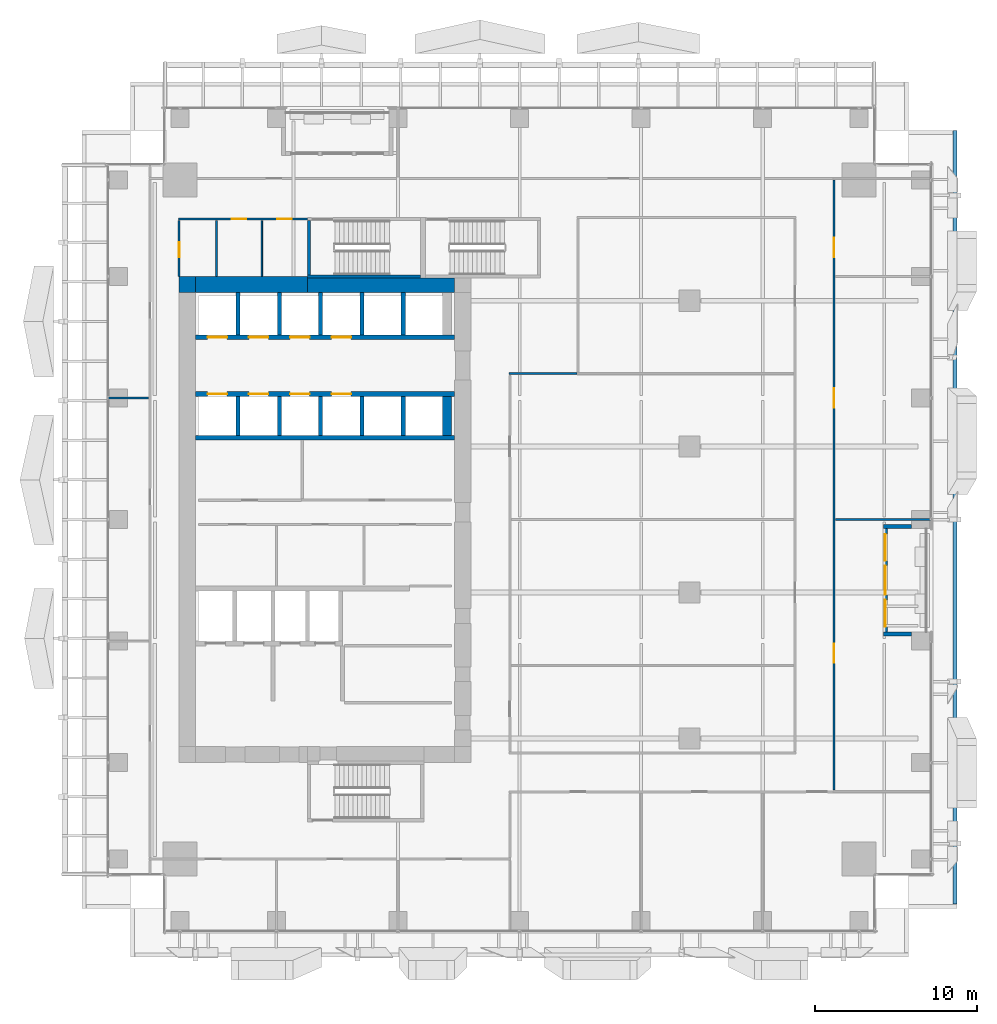
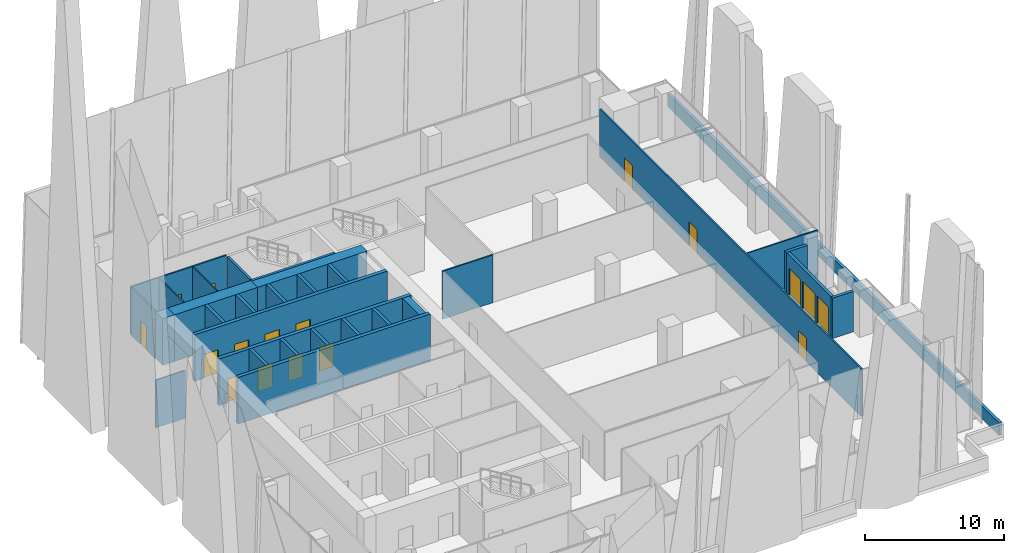
# One storey, part 30 of 37: 31 walls, 15 doors, 2 windows, 17 openings.
"""IFC4 building model written with IfcOpenShell, lengths in metres."""

from ifc_helpers import new_model, si_unit, direction, frame, frame_2d, origin, place, context, subcontext, project, spatial, rectangle, extrude, source, transform, mapped, material, layer, layer_set, type_object, element, fill, save


model = new_model("IFC4")

# Units and contexts
model_context = context("Model", 3, precision=1e-05, world=origin(), true_north=direction((0.0, 1.0)))
body_context = subcontext(model_context, "Body", "Model", "MODEL_VIEW")
ifc_project = project(units=[si_unit("LENGTHUNIT", "METRE"), si_unit("AREAUNIT", "SQUARE_METRE"), si_unit("VOLUMEUNIT", "CUBIC_METRE"), si_unit("PLANEANGLEUNIT", "RADIAN"), si_unit("MASSUNIT", "GRAM", prefix="KILO")], contexts=[model_context])

# Site, building, storey
site_placement = place(None, origin())
site = spatial("IfcSite", under=ifc_project, at=site_placement, CompositionType="ELEMENT")
building_placement = place(site_placement, origin())
building = spatial("IfcBuilding", under=site, at=building_placement, Name="Khomas Fold Tower", CompositionType="ELEMENT")
storey_placement = place(building_placement, frame((0.0, 0.0, 101.5)))
storey = spatial("IfcBuildingStorey", under=building, at=storey_placement, Name="L21", CompositionType="ELEMENT", Elevation=101.5)

# Walls
ifc_material_1 = material(Name="Concrete C70/85", Category="concrete")
ifc_layer_1 = layer(ifc_material_1, 1.0)
ifc_layer_set_1 = layer_set([ifc_layer_1], Name="Concrete C70/85")
wall_type_1 = type_object("IfcWallType", Name="Core wall 1000", PredefinedType="SHEAR", material=ifc_layer_set_1)
shared_shape_1 = source(origin(), body_context, "Body", "SweptSolid", [
    extrude(rectangle(XDim=6.89990234375, YDim=1.0, at=frame_2d((3.449951171875, 0.0))), origin(), (0.0, 0.0, 1.0), 4.10009765625),
])
wall_1_placement = place(storey_placement, frame((7.0, 41.5, 0.0), z_axis=(0.0, 0.0, 1.0), x_axis=(1.0, 0.0, 0.0)))
element("IfcWall", 1, at=wall_1_placement, inside=storey, type_object=wall_type_1, Name="Core wall CW-L-N-L21", PredefinedType="SHEAR", context=body_context, shape_type="MappedRepresentation", body=[
    mapped(shared_shape_1, transform((0.0, 0.0, 0.0))),
])
ifc_material_2 = material(Name="Concrete C70/85", Category="concrete")
ifc_layer_2 = layer(ifc_material_2, 0.89990234375)
ifc_layer_set_2 = layer_set([ifc_layer_2], Name="Concrete C70/85")
wall_type_2 = type_object("IfcWallType", Name="Core wall 900", PredefinedType="SHEAR", material=ifc_layer_set_2)
shared_shape_2 = source(origin(), body_context, "Body", "SweptSolid", [
    extrude(rectangle(XDim=9.10009765625, YDim=0.89990234375, at=frame_2d((4.550048828125, 0.0))), origin(), (0.0, 0.0, 1.0), 4.10009765625),
])
wall_2_placement = place(storey_placement, frame((13.89990234375, 41.449951171875, 0.0), z_axis=(0.0, 0.0, 1.0), x_axis=(1.0, 0.0, 0.0)))
element("IfcWall", 2, at=wall_2_placement, inside=storey, type_object=wall_type_2, Name="Core wall CW-L-N-L21-1", PredefinedType="SHEAR", context=body_context, shape_type="MappedRepresentation", body=[
    mapped(shared_shape_2, transform((0.0, 0.0, 0.0))),
])
ifc_material_3 = material(Name="Concrete C70/85", Category="concrete")
ifc_layer_3 = layer(ifc_material_3, 1.0)
ifc_layer_set_3 = layer_set([ifc_layer_3], Name="Concrete C70/85")
wall_type_3 = type_object("IfcWallType", Name="Core corner wall 1000", PredefinedType="SHEAR", material=ifc_layer_set_3)
shared_shape_3 = source(origin(), body_context, "Body", "SweptSolid", [
    extrude(rectangle(XDim=1.0, YDim=1.0, at=frame_2d((0.5, 0.0))), origin(), (0.0, 0.0, 1.0), 4.10009765625),
])
wall_3_placement = place(storey_placement, frame((6.0, 41.5, 0.0), z_axis=(0.0, 0.0, 1.0), x_axis=(1.0, 0.0, 0.0)))
element("IfcWall", 3, at=wall_3_placement, inside=storey, type_object=wall_type_3, Name="Core wall CW-L-NW-L21", PredefinedType="SHEAR", context=body_context, shape_type="MappedRepresentation", body=[
    mapped(shared_shape_3, transform((0.0, 0.0, 0.0))),
])
ifc_material_4 = material(Name="Concrete C50/60", Category="concrete")
ifc_layer_4 = layer(ifc_material_4, 0.199951171875)
ifc_layer_set_4 = layer_set([ifc_layer_4], Name="Concrete C50/60")
wall_type_4 = type_object("IfcWallType", Name="Stair wall 200", PredefinedType="SHEAR", material=ifc_layer_set_4)
shared_shape_4 = source(origin(), body_context, "Body", "SweptSolid", [
    extrude(rectangle(XDim=7.0, YDim=0.199951171875, at=frame_2d((3.5, 0.0))), origin(), (0.0, 0.0, 1.0), 4.10009765625),
])
wall_4_placement = place(storey_placement, frame((13.89990234375, 42.0, 0.0), z_axis=(0.0, 0.0, 1.0), x_axis=(1.0, 0.0, 0.0)))
element("IfcWall", 4, at=wall_4_placement, inside=storey, type_object=wall_type_4, Name="Stair wall SW-ST1-S", PredefinedType="SHEAR", context=body_context, shape_type="MappedRepresentation", body=[
    mapped(shared_shape_4, transform((0.0, 0.0, 0.0))),
])
shared_shape_5 = source(origin(), body_context, "Body", "SweptSolid", [
    extrude(rectangle(XDim=3.349853515625, YDim=0.199951171875, at=frame_2d((1.6748046875, 0.0))), origin(), (0.0, 0.0, 1.0), 4.10009765625),
])
wall_5_placement = place(storey_placement, frame((14.0, 42.10009765625, 0.0), z_axis=(0.0, 0.0, 1.0), x_axis=(0.0, 1.0, 0.0)))
element("IfcWall", 5, at=wall_5_placement, inside=storey, type_object=wall_type_4, Name="Stair wall SW-ST1-W", PredefinedType="SHEAR", context=body_context, shape_type="MappedRepresentation", body=[
    mapped(shared_shape_5, transform((0.0, 0.0, 0.0))),
])
ifc_material_5 = material(Name="Concrete C50/60", Category="concrete")
ifc_layer_5 = layer(ifc_material_5, 0.300048828125)
ifc_layer_set_5 = layer_set([ifc_layer_5], Name="Concrete C50/60")
wall_type_5 = type_object("IfcWallType", Name="Shaft wall 300", PredefinedType="STANDARD", material=ifc_layer_set_5)
shared_shape_6 = source(origin(), body_context, "Body", "SweptSolid", [
    extrude(rectangle(XDim=16.0, YDim=0.300048828125, at=frame_2d((8.0, 0.0))), origin(), (0.0, 0.0, 1.0), 4.10009765625),
])
wall_6_placement = place(storey_placement, frame((7.0, 32.050048828125, 0.0), z_axis=(0.0, 0.0, 1.0), x_axis=(1.0, 0.0, 0.0)))
element("IfcWall", 6, at=wall_6_placement, inside=storey, type_object=wall_type_5, Name="Core wall SW-HRN-B", PredefinedType="STANDARD", context=body_context, shape_type="MappedRepresentation", body=[
    mapped(shared_shape_6, transform((0.0, 0.0, 0.0))),
])

# Wall, openings, doors
wall_7_placement = place(storey_placement, frame((7.0, 38.25, 0.0), z_axis=(0.0, 0.0, 1.0), x_axis=(1.0, 0.0, 0.0)))
wall_7 = element("IfcWall", 7, at=wall_7_placement, inside=storey, type_object=wall_type_5, Name="Core wall SW-LRN-F", PredefinedType="STANDARD", context=body_context, shape_type="MappedRepresentation", body=[
    mapped(shared_shape_6, transform((0.0, 0.0, 0.0))),
])
shared_shape_7 = source(origin(), body_context, "Body", "SweptSolid", [
    extrude(rectangle(XDim=1.199951171875, YDim=2.10009765625, at=frame_2d((0.60009765625, 1.050048828125))), frame((0.0, 0.159912109375, 0.0), z_axis=(0.0, -1.0, 0.0), x_axis=(1.0, 0.0, 0.0)), (0.0, 0.0, 1.0), 0.320068359375),
])
opening_1_placement = place(wall_7_placement, frame((0.75, 0.0, 0.0)))
opening_1 = element("IfcOpeningElement", 8, at=opening_1_placement, cuts=wall_7, Name="Opening LD-LR5", PredefinedType="OPENING", context=body_context, shape_type="MappedRepresentation", body=[
    mapped(shared_shape_7, transform((0.0, 0.0, 0.0))),
])
opening_2_placement = place(wall_7_placement, frame((3.300048828125, 0.0, 0.0)))
opening_2 = element("IfcOpeningElement", 9, at=opening_2_placement, cuts=wall_7, Name="Opening LD-LR6", PredefinedType="OPENING", context=body_context, shape_type="MappedRepresentation", body=[
    mapped(shared_shape_7, transform((0.0, 0.0, 0.0))),
])
opening_3_placement = place(wall_7_placement, frame((5.85009765625, 0.0, 0.0)))
opening_3 = element("IfcOpeningElement", 10, at=opening_3_placement, cuts=wall_7, Name="Opening LD-LR7", PredefinedType="OPENING", context=body_context, shape_type="MappedRepresentation", body=[
    mapped(shared_shape_7, transform((0.0, 0.0, 0.0))),
])
opening_4_placement = place(wall_7_placement, frame((8.39990234375, 0.0, 0.0)))
opening_4 = element("IfcOpeningElement", 11, at=opening_4_placement, cuts=wall_7, Name="Opening LD-LR8", PredefinedType="OPENING", context=body_context, shape_type="MappedRepresentation", body=[
    mapped(shared_shape_7, transform((0.0, 0.0, 0.0))),
])
ifc_material_6 = material(Name="Steel door leaf", Category="steel")
door_type_1 = type_object("IfcDoorType", Name="Landing door 1200x2100", OperationType="DOUBLE_DOOR_SLIDING", PredefinedType="DOOR", material=ifc_material_6)
shared_shape_8 = source(origin(), body_context, "Body", "SweptSolid", [
    extrude(rectangle(XDim=1.199951171875, YDim=2.10009765625, at=frame_2d((0.60009765625, 1.050048828125))), frame((0.0, 0.02490234375, 0.0), z_axis=(0.0, -1.0, 0.0), x_axis=(1.0, 0.0, 0.0)), (0.0, 0.0, 1.0), 0.050048828125),
])
door_1_placement = place(opening_1_placement, origin())
door_1 = element("IfcDoor", 12, at=door_1_placement, inside=storey, type_object=door_type_1, Name="Lift landing door", OperationType="DOUBLE_DOOR_SLIDING", OverallHeight=2.10009765625, OverallWidth=1.199951171875, PredefinedType="DOOR", context=body_context, shape_type="MappedRepresentation", body=[
    mapped(shared_shape_8, transform((0.0, 0.0, 0.0))),
])
fill(opening_1, door_1)
door_2_placement = place(opening_2_placement, origin())
door_2 = element("IfcDoor", 13, at=door_2_placement, inside=storey, type_object=door_type_1, Name="Lift landing door", OperationType="DOUBLE_DOOR_SLIDING", OverallHeight=2.10009765625, OverallWidth=1.199951171875, PredefinedType="DOOR", context=body_context, shape_type="MappedRepresentation", body=[
    mapped(shared_shape_8, transform((0.0, 0.0, 0.0))),
])
fill(opening_2, door_2)
door_3_placement = place(opening_3_placement, origin())
door_3 = element("IfcDoor", 14, at=door_3_placement, inside=storey, type_object=door_type_1, Name="Lift landing door", OperationType="DOUBLE_DOOR_SLIDING", OverallHeight=2.10009765625, OverallWidth=1.199951171875, PredefinedType="DOOR", context=body_context, shape_type="MappedRepresentation", body=[
    mapped(shared_shape_8, transform((0.0, 0.0, 0.0))),
])
fill(opening_3, door_3)
door_4_placement = place(opening_4_placement, origin())
door_4 = element("IfcDoor", 15, at=door_4_placement, inside=storey, type_object=door_type_1, Name="Lift landing door", OperationType="DOUBLE_DOOR_SLIDING", OverallHeight=2.10009765625, OverallWidth=1.199951171875, PredefinedType="DOOR", context=body_context, shape_type="MappedRepresentation", body=[
    mapped(shared_shape_8, transform((0.0, 0.0, 0.0))),
])
fill(opening_4, door_4)

wall_8_placement = place(storey_placement, frame((7.0, 34.75, 0.0), z_axis=(0.0, 0.0, 1.0), x_axis=(1.0, 0.0, 0.0)))
wall_8 = element("IfcWall", 16, at=wall_8_placement, inside=storey, type_object=wall_type_5, Name="Core wall SW-LRS-F", PredefinedType="STANDARD", context=body_context, shape_type="MappedRepresentation", body=[
    mapped(shared_shape_6, transform((0.0, 0.0, 0.0))),
])
opening_5_placement = place(wall_8_placement, frame((0.75, 0.0, 0.0)))
opening_5 = element("IfcOpeningElement", 17, at=opening_5_placement, cuts=wall_8, Name="Opening LD-LR1", PredefinedType="OPENING", context=body_context, shape_type="MappedRepresentation", body=[
    mapped(shared_shape_7, transform((0.0, 0.0, 0.0))),
])
opening_6_placement = place(wall_8_placement, frame((3.300048828125, 0.0, 0.0)))
opening_6 = element("IfcOpeningElement", 18, at=opening_6_placement, cuts=wall_8, Name="Opening LD-LR2", PredefinedType="OPENING", context=body_context, shape_type="MappedRepresentation", body=[
    mapped(shared_shape_7, transform((0.0, 0.0, 0.0))),
])
opening_7_placement = place(wall_8_placement, frame((5.85009765625, 0.0, 0.0)))
opening_7 = element("IfcOpeningElement", 19, at=opening_7_placement, cuts=wall_8, Name="Opening LD-LR3", PredefinedType="OPENING", context=body_context, shape_type="MappedRepresentation", body=[
    mapped(shared_shape_7, transform((0.0, 0.0, 0.0))),
])
opening_8_placement = place(wall_8_placement, frame((8.39990234375, 0.0, 0.0)))
opening_8 = element("IfcOpeningElement", 20, at=opening_8_placement, cuts=wall_8, Name="Opening LD-LR4", PredefinedType="OPENING", context=body_context, shape_type="MappedRepresentation", body=[
    mapped(shared_shape_7, transform((0.0, 0.0, 0.0))),
])
door_5_placement = place(opening_5_placement, origin())
door_5 = element("IfcDoor", 21, at=door_5_placement, inside=storey, type_object=door_type_1, Name="Lift landing door", OperationType="DOUBLE_DOOR_SLIDING", OverallHeight=2.10009765625, OverallWidth=1.199951171875, PredefinedType="DOOR", context=body_context, shape_type="MappedRepresentation", body=[
    mapped(shared_shape_8, transform((0.0, 0.0, 0.0))),
])
fill(opening_5, door_5)
door_6_placement = place(opening_6_placement, origin())
door_6 = element("IfcDoor", 22, at=door_6_placement, inside=storey, type_object=door_type_1, Name="Lift landing door", OperationType="DOUBLE_DOOR_SLIDING", OverallHeight=2.10009765625, OverallWidth=1.199951171875, PredefinedType="DOOR", context=body_context, shape_type="MappedRepresentation", body=[
    mapped(shared_shape_8, transform((0.0, 0.0, 0.0))),
])
fill(opening_6, door_6)
door_7_placement = place(opening_7_placement, origin())
door_7 = element("IfcDoor", 23, at=door_7_placement, inside=storey, type_object=door_type_1, Name="Lift landing door", OperationType="DOUBLE_DOOR_SLIDING", OverallHeight=2.10009765625, OverallWidth=1.199951171875, PredefinedType="DOOR", context=body_context, shape_type="MappedRepresentation", body=[
    mapped(shared_shape_8, transform((0.0, 0.0, 0.0))),
])
fill(opening_7, door_7)
door_8_placement = place(opening_8_placement, origin())
door_8 = element("IfcDoor", 24, at=door_8_placement, inside=storey, type_object=door_type_1, Name="Lift landing door", OperationType="DOUBLE_DOOR_SLIDING", OverallHeight=2.10009765625, OverallWidth=1.199951171875, PredefinedType="DOOR", context=body_context, shape_type="MappedRepresentation", body=[
    mapped(shared_shape_8, transform((0.0, 0.0, 0.0))),
])
fill(opening_8, door_8)

# Walls
ifc_material_7 = material(Name="Concrete C50/60", Category="concrete")
ifc_layer_6 = layer(ifc_material_7, 0.25)
ifc_layer_set_6 = layer_set([ifc_layer_6], Name="Concrete C50/60")
wall_type_6 = type_object("IfcWallType", Name="Shaft wall 250", PredefinedType="STANDARD", material=ifc_layer_set_6)
shared_shape_9 = source(origin(), body_context, "Body", "SweptSolid", [
    extrude(rectangle(XDim=2.60009765625, YDim=0.25, at=frame_2d((1.300048828125, 0.0))), origin(), (0.0, 0.0, 1.0), 4.10009765625),
])
for number, where, z_axis, x_axis, name in (
    (25, (9.625, 38.39990234375, 0.0), (0.0, 0.0, 1.0), (0.0, 1.0, 0.0), "Core wall SW-LRN-P1"),
    (26, (12.175048828125, 38.39990234375, 0.0), (0.0, 0.0, 1.0), (0.0, 1.0, 0.0), "Core wall SW-LRN-P2"),
    (27, (14.72509765625, 38.39990234375, 0.0), (0.0, 0.0, 1.0), (0.0, 1.0, 0.0), "Core wall SW-LRN-P3"),
    (28, (17.27490234375, 38.39990234375, 0.0), (0.0, 0.0, 1.0), (0.0, 1.0, 0.0), "Core wall SW-LRN-P4"),
    (29, (19.824951171875, 38.39990234375, 0.0), (0.0, 0.0, 1.0), (0.0, 1.0, 0.0), "Core wall SW-LRN-P5"),
):
    element("IfcWall", number, at=place(storey_placement, frame(where, z_axis=z_axis, x_axis=x_axis)), inside=storey, type_object=wall_type_6, Name=name, PredefinedType="STANDARD", context=body_context, shape_type="MappedRepresentation", body=[
        mapped(shared_shape_9, transform((0.0, 0.0, 0.0))),
    ])
shared_shape_10 = source(origin(), body_context, "Body", "SweptSolid", [
    extrude(rectangle(XDim=2.400146484375, YDim=0.25, at=frame_2d((1.2001953125, 0.0))), origin(), (0.0, 0.0, 1.0), 4.10009765625),
])
for number, where, z_axis, x_axis, name in (
    (30, (9.625, 32.199951171875, 0.0), (0.0, 0.0, 1.0), (0.0, 1.0, 0.0), "Core wall SW-LRS-P1"),
    (31, (12.175048828125, 32.199951171875, 0.0), (0.0, 0.0, 1.0), (0.0, 1.0, 0.0), "Core wall SW-LRS-P2"),
    (32, (14.72509765625, 32.199951171875, 0.0), (0.0, 0.0, 1.0), (0.0, 1.0, 0.0), "Core wall SW-LRS-P3"),
    (33, (17.27490234375, 32.199951171875, 0.0), (0.0, 0.0, 1.0), (0.0, 1.0, 0.0), "Core wall SW-LRS-P4"),
    (34, (19.824951171875, 32.199951171875, 0.0), (0.0, 0.0, 1.0), (0.0, 1.0, 0.0), "Core wall SW-LRS-P5"),
):
    element("IfcWall", number, at=place(storey_placement, frame(where, z_axis=z_axis, x_axis=x_axis)), inside=storey, type_object=wall_type_6, Name=name, PredefinedType="STANDARD", context=body_context, shape_type="MappedRepresentation", body=[
        mapped(shared_shape_10, transform((0.0, 0.0, 0.0))),
    ])
ifc_material_8 = material(Name="Concrete C50/60", Category="concrete")
ifc_layer_7 = layer(ifc_material_8, 0.550048828125)
ifc_layer_set_7 = layer_set([ifc_layer_7], Name="Concrete C50/60")
wall_type_7 = type_object("IfcWallType", Name="Shaft wall 550", PredefinedType="STANDARD", material=ifc_layer_set_7)
shared_shape_11 = source(origin(), body_context, "Body", "SweptSolid", [
    extrude(rectangle(XDim=2.400146484375, YDim=0.550048828125, at=frame_2d((1.2001953125, 0.0))), origin(), (0.0, 0.0, 1.0), 4.10009765625),
])
wall_9_placement = place(storey_placement, frame((22.52490234375, 32.199951171875, 0.0), z_axis=(0.0, 0.0, 1.0), x_axis=(0.0, 1.0, 0.0)))
element("IfcWall", 35, at=wall_9_placement, inside=storey, type_object=wall_type_7, Name="Core wall SW-LRS-PE", PredefinedType="STANDARD", context=body_context, shape_type="MappedRepresentation", body=[
    mapped(shared_shape_11, transform((0.0, 0.0, 0.0))),
])

# Wall, openings, door, windows
ifc_material_9 = material(Name="Natural stone", Category="masonry")
ifc_layer_8 = layer(ifc_material_9, 0.0400390625)
ifc_material_10 = material(Name="Mineral wool insulation", Category="insulation")
ifc_layer_9 = layer(ifc_material_10, 0.10009765625)
ifc_material_11 = material(Name="Masonry", Category="masonry")
ifc_layer_10 = layer(ifc_material_11, 0.110107421875)
ifc_layer_set_8 = layer_set([ifc_layer_8, ifc_layer_9, ifc_layer_10], Name="Stone-faced insulated masonry")
wall_type_8 = type_object("IfcWallType", Name="BL-Balcony wall", PredefinedType="SOLIDWALL", material=ifc_layer_set_8)
shared_shape_12 = source(origin(), body_context, "Body", "SweptSolid", [
    extrude(rectangle(XDim=6.39990234375, YDim=0.25, at=frame_2d((3.199951171875, 0.0))), origin(), (0.0, 0.0, 1.0), 3.550048828125),
])
wall_10_placement = place(storey_placement, frame((49.574951171875, 20.050048828125, 0.0), z_axis=(0.0, 0.0, 1.0), x_axis=(0.0, 1.0, 0.0)))
wall_10 = element("IfcWall", 36, at=wall_10_placement, inside=storey, type_object=wall_type_8, Name="Balcony wall BAL-L21-E2", PredefinedType="SOLIDWALL", context=body_context, shape_type="MappedRepresentation", body=[
    mapped(shared_shape_12, transform((0.0, 0.0, 0.0))),
])
shared_shape_13 = source(origin(), body_context, "Body", "SweptSolid", [
    extrude(rectangle(XDim=1.64990234375, YDim=2.39990234375, at=frame_2d((0.824951171875, 1.199951171875))), frame((0.0, 0.135009765625, 0.0), z_axis=(0.0, -1.0, 0.0), x_axis=(1.0, 0.0, 0.0)), (0.0, 0.0, 1.0), 0.27001953125),
])
opening_9_placement = place(wall_10_placement, frame((0.35009765625, 0.0, 0.0)))
opening_9 = element("IfcOpeningElement", 37, at=opening_9_placement, cuts=wall_10, Name="Opening BL-W2", PredefinedType="OPENING", context=body_context, shape_type="MappedRepresentation", body=[
    mapped(shared_shape_13, transform((0.0, 0.0, 0.0))),
])
opening_10_placement = place(wall_10_placement, frame((4.39990234375, 0.0, 0.0)))
opening_10 = element("IfcOpeningElement", 38, at=opening_10_placement, cuts=wall_10, Name="Opening BL-W2", PredefinedType="OPENING", context=body_context, shape_type="MappedRepresentation", body=[
    mapped(shared_shape_13, transform((0.0, 0.0, 0.0))),
])
shared_shape_14 = source(origin(), body_context, "Body", "SweptSolid", [
    extrude(rectangle(XDim=1.800048828125, YDim=2.39990234375, at=frame_2d((0.89990234375, 1.199951171875))), frame((0.0, 0.135009765625, 0.0), z_axis=(0.0, -1.0, 0.0), x_axis=(1.0, 0.0, 0.0)), (0.0, 0.0, 1.0), 0.27001953125),
])
opening_11_placement = place(wall_10_placement, frame((2.300048828125, 0.0, 0.0)))
opening_11 = element("IfcOpeningElement", 39, at=opening_11_placement, cuts=wall_10, Name="Opening BD212", PredefinedType="OPENING", context=body_context, shape_type="MappedRepresentation", body=[
    mapped(shared_shape_14, transform((0.0, 0.0, 0.0))),
])
ifc_material_12 = material(Name="Aluminium framed double glazing", Category="aluminium")
door_type_2 = type_object("IfcDoorType", Name="BL-Glazed balcony door 1800 x 2400", OperationType="DOUBLE_DOOR_DOUBLE_SWING", PredefinedType="DOOR", material=ifc_material_12)
shared_shape_15 = source(origin(), body_context, "Body", "SweptSolid", [
    extrude(rectangle(XDim=1.800048828125, YDim=2.39990234375, at=frame_2d((0.89990234375, 1.199951171875))), frame((0.0, 0.02490234375, 0.0), z_axis=(0.0, -1.0, 0.0), x_axis=(1.0, 0.0, 0.0)), (0.0, 0.0, 1.0), 0.050048828125),
])
door_9_placement = place(opening_11_placement, origin())
door_9 = element("IfcDoor", 40, at=door_9_placement, inside=storey, type_object=door_type_2, Name="Balcony door BD212", OperationType="DOUBLE_DOOR_DOUBLE_SWING", OverallHeight=2.39990234375, OverallWidth=1.800048828125, PredefinedType="DOOR", context=body_context, shape_type="MappedRepresentation", body=[
    mapped(shared_shape_15, transform((0.0, 0.0, 0.0))),
])
fill(opening_11, door_9)
ifc_material_13 = material(Name="Aluminium framed double glazing", Category="aluminium")
window_type = type_object("IfcWindowType", Name="BL-Fixed glazing 1650 x 2400", PartitioningType="SINGLE_PANEL", PredefinedType="WINDOW", material=ifc_material_13)
shared_shape_16 = source(origin(), body_context, "Body", "SweptSolid", [
    extrude(rectangle(XDim=1.64990234375, YDim=2.39990234375, at=frame_2d((0.824951171875, 1.199951171875))), frame((0.0, 0.030029296875, 0.0), z_axis=(0.0, -1.0, 0.0), x_axis=(1.0, 0.0, 0.0)), (0.0, 0.0, 1.0), 0.06005859375),
])
window_1_placement = place(opening_9_placement, origin())
window_1 = element("IfcWindow", 41, at=window_1_placement, inside=storey, type_object=window_type, Name="Balcony glazing BAL-L21-E2-1", OverallHeight=2.39990234375, OverallWidth=1.64990234375, PartitioningType="SINGLE_PANEL", PredefinedType="WINDOW", context=body_context, shape_type="MappedRepresentation", body=[
    mapped(shared_shape_16, transform((0.0, 0.0, 0.0))),
])
fill(opening_9, window_1)
window_2_placement = place(opening_10_placement, origin())
window_2 = element("IfcWindow", 42, at=window_2_placement, inside=storey, type_object=window_type, Name="Balcony glazing BAL-L21-E2-2", OverallHeight=2.39990234375, OverallWidth=1.64990234375, PartitioningType="SINGLE_PANEL", PredefinedType="WINDOW", context=body_context, shape_type="MappedRepresentation", body=[
    mapped(shared_shape_16, transform((0.0, 0.0, 0.0))),
])
fill(opening_10, window_2)

# Walls
shared_shape_17 = source(origin(), body_context, "Body", "SweptSolid", [
    extrude(rectangle(XDim=1.75, YDim=0.25, at=frame_2d((0.875, 0.0))), origin(), (0.0, 0.0, 1.0), 3.550048828125),
])
for number, where, z_axis, x_axis, name in (
    (43, (51.199951171875, 19.925048828125, 0.0), (0.0, 0.0, 1.0), (-1.0, 0.0, 0.0), "Balcony return wall BAL-L21-E2-lo"),
    (44, (51.199951171875, 26.574951171875, 0.0), (0.0, 0.0, 1.0), (-1.0, 0.0, 0.0), "Balcony return wall BAL-L21-E2-hi"),
):
    element("IfcWall", number, at=place(storey_placement, frame(where, z_axis=z_axis, x_axis=x_axis)), inside=storey, type_object=wall_type_8, Name=name, PredefinedType="SOLIDWALL", context=body_context, shape_type="MappedRepresentation", body=[
        mapped(shared_shape_17, transform((0.0, 0.0, 0.0))),
    ])
ifc_material_14 = material(Name="Concrete C40/50", Category="concrete")
ifc_layer_11 = layer(ifc_material_14, 0.25)
ifc_layer_set_9 = layer_set([ifc_layer_11], Name="Concrete C40/50")
wall_type_9 = type_object("IfcWallType", Name="Setback roof parapet 250", PredefinedType="PARAPET", material=ifc_layer_set_9)
shared_shape_18 = source(origin(), body_context, "Body", "SweptSolid", [
    extrude(rectangle(XDim=47.72998046875, YDim=0.25, at=frame_2d((23.864990234375, 0.0))), origin(), (0.0, 0.0, 1.0), 1.10009765625),
])
wall_11_placement = place(storey_placement, frame((53.875, 3.27001953125, 0.0), z_axis=(0.0, 0.0, 1.0), x_axis=(0.0, 1.0, 0.0)))
element("IfcWall", 45, at=wall_11_placement, inside=storey, type_object=wall_type_9, Name="Setback roof parapet", PredefinedType="SOLIDWALL", context=body_context, shape_type="MappedRepresentation", body=[
    mapped(shared_shape_18, transform((0.0, 0.0, 0.0))),
])

# Wall, openings, doors
ifc_material_15 = material(Name="Plasterboard partition")
ifc_layer_12 = layer(ifc_material_15, 0.125)
ifc_layer_set_10 = layer_set([ifc_layer_12], Name="Plasterboard partition")
wall_type_10 = type_object("IfcWallType", Name="Partition PW2 125", PredefinedType="PARTITIONING", material=ifc_layer_set_10)
shared_shape_19 = source(origin(), body_context, "Body", "SweptSolid", [
    extrude(rectangle(XDim=7.949951171875, YDim=0.125, at=frame_2d((3.97509765625, 0.0))), origin(), (0.0, 0.0, 1.0), 4.199951171875),
])
wall_12_placement = place(storey_placement, frame((5.949951171875, 45.550048828125, 0.0), z_axis=(0.0, 0.0, 1.0), x_axis=(1.0, 0.0, 0.0)))
wall_12 = element("IfcWall", 46, at=wall_12_placement, inside=storey, type_object=wall_type_10, Name="Partition", PredefinedType="PARTITIONING", context=body_context, shape_type="MappedRepresentation", body=[
    mapped(shared_shape_19, transform((0.0, 0.0, 0.0))),
])
shared_shape_20 = source(origin(), body_context, "Body", "SweptSolid", [
    extrude(rectangle(XDim=0.89990234375, YDim=2.10009765625, at=frame_2d((0.449951171875, 1.050048828125))), frame((0.0, 0.072509765625, 0.0), z_axis=(0.0, -1.0, 0.0), x_axis=(1.0, 0.0, 0.0)), (0.0, 0.0, 1.0), 0.14501953125),
])
opening_12_placement = place(wall_12_placement, frame((3.300048828125, 0.0, 0.0)))
opening_12 = element("IfcOpeningElement", 47, at=opening_12_placement, cuts=wall_12, Name="Opening 0007", PredefinedType="OPENING", context=body_context, shape_type="MappedRepresentation", body=[
    mapped(shared_shape_20, transform((0.0, 0.0, 0.0))),
])
opening_13_placement = place(wall_12_placement, frame((6.10009765625, 0.0, 0.0)))
opening_13 = element("IfcOpeningElement", 48, at=opening_13_placement, cuts=wall_12, Name="Opening 0008", PredefinedType="OPENING", context=body_context, shape_type="MappedRepresentation", body=[
    mapped(shared_shape_20, transform((0.0, 0.0, 0.0))),
])
ifc_material_16 = material(Name="Timber door leaf", Category="wood")
door_type_3 = type_object("IfcDoorType", Name="Door 900x2100 left-hand", OperationType="SINGLE_SWING_LEFT", PredefinedType="DOOR", material=ifc_material_16)
shared_shape_21 = source(origin(), body_context, "Body", "SweptSolid", [
    extrude(rectangle(XDim=0.89990234375, YDim=2.10009765625, at=frame_2d((0.449951171875, 1.050048828125))), frame((0.0, 0.02490234375, 0.0), z_axis=(0.0, -1.0, 0.0), x_axis=(1.0, 0.0, 0.0)), (0.0, 0.0, 1.0), 0.050048828125),
])
door_10_placement = place(opening_12_placement, origin())
door_10 = element("IfcDoor", 49, at=door_10_placement, inside=storey, type_object=door_type_3, Name="Door", OperationType="SINGLE_SWING_LEFT", OverallHeight=2.10009765625, OverallWidth=0.89990234375, PredefinedType="DOOR", context=body_context, shape_type="MappedRepresentation", body=[
    mapped(shared_shape_21, transform((0.0, 0.0, 0.0))),
])
fill(opening_12, door_10)
ifc_material_17 = material(Name="Timber door leaf", Category="wood")
door_type_4 = type_object("IfcDoorType", Name="Door 900x2100 right-hand", OperationType="SINGLE_SWING_RIGHT", PredefinedType="DOOR", material=ifc_material_17)
door_11_placement = place(opening_13_placement, origin())
door_11 = element("IfcDoor", 50, at=door_11_placement, inside=storey, type_object=door_type_4, Name="Door", OperationType="SINGLE_SWING_RIGHT", OverallHeight=2.10009765625, OverallWidth=0.89990234375, PredefinedType="DOOR", context=body_context, shape_type="MappedRepresentation", body=[
    mapped(shared_shape_21, transform((0.0, 0.0, 0.0))),
])
fill(opening_13, door_11)

shared_shape_22 = source(origin(), body_context, "Body", "SweptSolid", [
    extrude(rectangle(XDim=37.64990234375, YDim=0.125, at=frame_2d((18.824951171875, 0.0))), origin(), (0.0, 0.0, 1.0), 4.199951171875),
])
wall_13_placement = place(storey_placement, frame((46.39990234375, 10.300048828125, 0.0), z_axis=(0.0, 0.0, 1.0), x_axis=(0.0, 1.0, 0.0)))
wall_13 = element("IfcWall", 51, at=wall_13_placement, inside=storey, type_object=wall_type_10, Name="Partition", PredefinedType="PARTITIONING", context=body_context, shape_type="MappedRepresentation", body=[
    mapped(shared_shape_22, transform((0.0, 0.0, 0.0))),
])
shared_shape_23 = source(origin(), body_context, "Body", "SweptSolid", [
    extrude(rectangle(XDim=1.199951171875, YDim=2.10009765625, at=frame_2d((0.60009765625, 1.050048828125))), frame((0.0, 0.072509765625, 0.0), z_axis=(0.0, -1.0, 0.0), x_axis=(1.0, 0.0, 0.0)), (0.0, 0.0, 1.0), 0.14501953125),
])
opening_14_placement = place(wall_13_placement, frame((7.85009765625, 0.0, 0.0)))
opening_14 = element("IfcOpeningElement", 52, at=opening_14_placement, cuts=wall_13, Name="Opening 0001", PredefinedType="OPENING", context=body_context, shape_type="MappedRepresentation", body=[
    mapped(shared_shape_23, transform((0.0, 0.0, 0.0))),
])
opening_15_placement = place(wall_13_placement, frame((23.60009765625, 0.0, 0.0)))
opening_15 = element("IfcOpeningElement", 53, at=opening_15_placement, cuts=wall_13, Name="Opening 0001", PredefinedType="OPENING", context=body_context, shape_type="MappedRepresentation", body=[
    mapped(shared_shape_23, transform((0.0, 0.0, 0.0))),
])
opening_16_placement = place(wall_13_placement, frame((32.89990234375, 0.0, 0.0)))
opening_16 = element("IfcOpeningElement", 54, at=opening_16_placement, cuts=wall_13, Name="Opening 0013", PredefinedType="OPENING", context=body_context, shape_type="MappedRepresentation", body=[
    mapped(shared_shape_23, transform((0.0, 0.0, 0.0))),
])
ifc_material_18 = material(Name="Timber door leaf", Category="wood")
door_type_5 = type_object("IfcDoorType", Name="Door 1200x2100 right-hand", OperationType="SINGLE_SWING_RIGHT", PredefinedType="DOOR", material=ifc_material_18)
door_12_placement = place(opening_14_placement, origin())
door_12 = element("IfcDoor", 55, at=door_12_placement, inside=storey, type_object=door_type_5, Name="Door", OperationType="SINGLE_SWING_RIGHT", OverallHeight=2.10009765625, OverallWidth=1.199951171875, PredefinedType="DOOR", context=body_context, shape_type="MappedRepresentation", body=[
    mapped(shared_shape_8, transform((0.0, 0.0, 0.0))),
])
fill(opening_14, door_12)
door_13_placement = place(opening_15_placement, origin())
door_13 = element("IfcDoor", 56, at=door_13_placement, inside=storey, type_object=door_type_5, Name="Door", OperationType="SINGLE_SWING_RIGHT", OverallHeight=2.10009765625, OverallWidth=1.199951171875, PredefinedType="DOOR", context=body_context, shape_type="MappedRepresentation", body=[
    mapped(shared_shape_8, transform((0.0, 0.0, 0.0))),
])
fill(opening_15, door_13)
ifc_material_19 = material(Name="Timber door leaf", Category="wood")
door_type_6 = type_object("IfcDoorType", Name="Door 1200x2100 left-hand", OperationType="SINGLE_SWING_LEFT", PredefinedType="DOOR", material=ifc_material_19)
door_14_placement = place(opening_16_placement, origin())
door_14 = element("IfcDoor", 57, at=door_14_placement, inside=storey, type_object=door_type_6, Name="Door", OperationType="SINGLE_SWING_LEFT", OverallHeight=2.10009765625, OverallWidth=1.199951171875, PredefinedType="DOOR", context=body_context, shape_type="MappedRepresentation", body=[
    mapped(shared_shape_8, transform((0.0, 0.0, 0.0))),
])
fill(opening_16, door_14)

# Walls
ifc_material_20 = material(Name="Plasterboard partition")
ifc_layer_13 = layer(ifc_material_20, 0.10009765625)
ifc_layer_set_11 = layer_set([ifc_layer_13], Name="Plasterboard partition")
wall_type_11 = type_object("IfcWallType", Name="Partition PW1 100", PredefinedType="PARTITIONING", material=ifc_layer_set_11)
shared_shape_24 = source(origin(), body_context, "Body", "SweptSolid", [
    extrude(rectangle(XDim=2.4501953125, YDim=0.10009765625, at=frame_2d((1.22509765625, 0.0))), origin(), (0.0, 0.0, 1.0), 4.199951171875),
])
wall_14_placement = place(storey_placement, frame((1.64990234375, 34.5, 0.0), z_axis=(0.0, 0.0, 1.0), x_axis=(1.0, 0.0, 0.0)))
element("IfcWall", 58, at=wall_14_placement, inside=storey, type_object=wall_type_11, Name="Partition", PredefinedType="PARTITIONING", context=body_context, shape_type="MappedRepresentation", body=[
    mapped(shared_shape_24, transform((0.0, 0.0, 0.0))),
])
shared_shape_25 = source(origin(), body_context, "Body", "SweptSolid", [
    extrude(rectangle(XDim=5.85009765625, YDim=0.10009765625, at=frame_2d((2.925048828125, 0.0))), origin(), (0.0, 0.0, 1.0), 4.199951171875),
])
wall_15_placement = place(storey_placement, frame((46.5, 27.0, 0.0), z_axis=(0.0, 0.0, 1.0), x_axis=(1.0, 0.0, 0.0)))
element("IfcWall", 59, at=wall_15_placement, inside=storey, type_object=wall_type_11, Name="Partition", PredefinedType="PARTITIONING", context=body_context, shape_type="MappedRepresentation", body=[
    mapped(shared_shape_25, transform((0.0, 0.0, 0.0))),
])
shared_shape_26 = source(origin(), body_context, "Body", "SweptSolid", [
    extrude(rectangle(XDim=4.199951171875, YDim=0.125, at=frame_2d((2.10009765625, 0.0))), origin(), (0.0, 0.0, 1.0), 4.199951171875),
])
wall_16_placement = place(storey_placement, frame((26.35009765625, 36.0, 0.0), z_axis=(0.0, 0.0, 1.0), x_axis=(1.0, 0.0, 0.0)))
element("IfcWall", 60, at=wall_16_placement, inside=storey, type_object=wall_type_10, Name="Partition", PredefinedType="PARTITIONING", context=body_context, shape_type="MappedRepresentation", body=[
    mapped(shared_shape_26, transform((0.0, 0.0, 0.0))),
])

# Wall, opening, door
shared_shape_27 = source(origin(), body_context, "Body", "SweptSolid", [
    extrude(rectangle(XDim=3.449951171875, YDim=0.125, at=frame_2d((1.72509765625, 0.0))), origin(), (0.0, 0.0, 1.0), 4.199951171875),
])
wall_17_placement = place(storey_placement, frame((6.0, 42.0, 0.0), z_axis=(0.0, 0.0, 1.0), x_axis=(0.0, 1.0, 0.0)))
wall_17 = element("IfcWall", 61, at=wall_17_placement, inside=storey, type_object=wall_type_10, Name="Partition", PredefinedType="PARTITIONING", context=body_context, shape_type="MappedRepresentation", body=[
    mapped(shared_shape_27, transform((0.0, 0.0, 0.0))),
])
opening_17_placement = place(wall_17_placement, frame((1.199951171875, 0.0, 0.0)))
opening_17 = element("IfcOpeningElement", 62, at=opening_17_placement, cuts=wall_17, Name="Opening 0007", PredefinedType="OPENING", context=body_context, shape_type="MappedRepresentation", body=[
    mapped(shared_shape_20, transform((0.0, 0.0, 0.0))),
])
door_15_placement = place(opening_17_placement, origin())
door_15 = element("IfcDoor", 63, at=door_15_placement, inside=storey, type_object=door_type_3, Name="Door", OperationType="SINGLE_SWING_LEFT", OverallHeight=2.10009765625, OverallWidth=0.89990234375, PredefinedType="DOOR", context=body_context, shape_type="MappedRepresentation", body=[
    mapped(shared_shape_21, transform((0.0, 0.0, 0.0))),
])
fill(opening_17, door_15)

# Walls
shared_shape_28 = source(origin(), body_context, "Body", "SweptSolid", [
    extrude(rectangle(XDim=3.449951171875, YDim=0.10009765625, at=frame_2d((1.72509765625, 0.0))), origin(), (0.0, 0.0, 1.0), 4.199951171875),
])
for number, where, z_axis, x_axis, name in (
    (64, (8.300048828125, 42.0, 0.0), (0.0, 0.0, 1.0), (0.0, 1.0, 0.0), "Partition"),
    (65, (11.10009765625, 42.0, 0.0), (0.0, 0.0, 1.0), (0.0, 1.0, 0.0), "Partition"),
):
    element("IfcWall", number, at=place(storey_placement, frame(where, z_axis=z_axis, x_axis=x_axis)), inside=storey, type_object=wall_type_11, Name=name, PredefinedType="PARTITIONING", context=body_context, shape_type="MappedRepresentation", body=[
        mapped(shared_shape_28, transform((0.0, 0.0, 0.0))),
    ])

save(model, "model.ifc")
